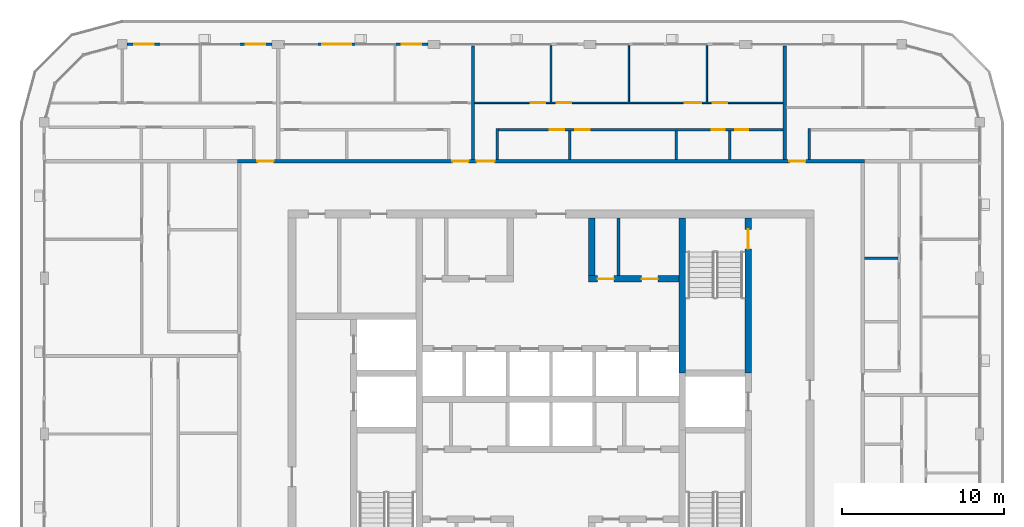
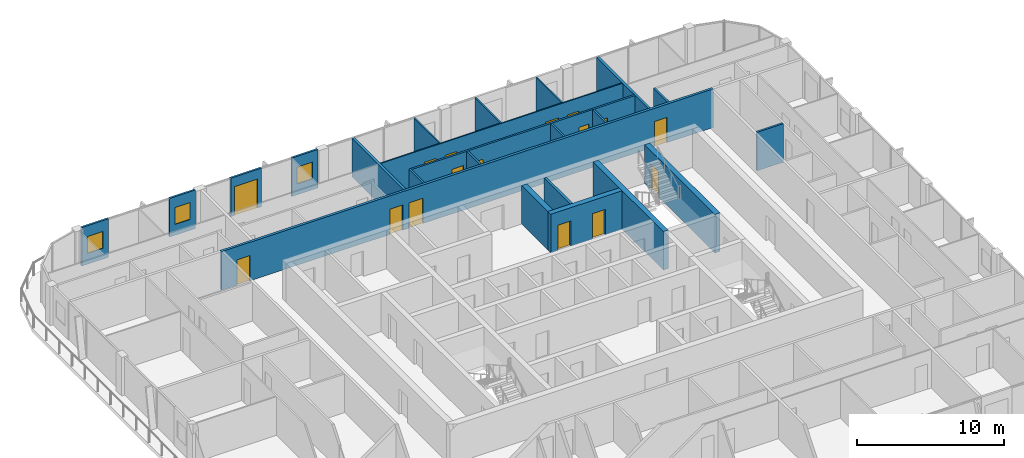
# One storey, part 14 of 22: 23 walls, 16 doors, 3 windows, 19 openings.
"""IFC4 building model written with IfcOpenShell, lengths in metres."""

from ifc_helpers import new_model, si_unit, direction, frame, frame_2d, origin, place, context, subcontext, project, spatial, rectangle, extrude, material, layer, layer_set, type_object, element, fill, save


model = new_model("IFC4")

# Units and contexts
model_context = context("Model", 3, precision=1e-05, world=origin(), true_north=direction((0.0, 1.0)))
body_context = subcontext(model_context, "Body", "Model", "MODEL_VIEW")
ifc_project = project(units=[si_unit("LENGTHUNIT", "METRE"), si_unit("AREAUNIT", "SQUARE_METRE"), si_unit("VOLUMEUNIT", "CUBIC_METRE"), si_unit("PLANEANGLEUNIT", "RADIAN"), si_unit("MASSUNIT", "GRAM", prefix="KILO")], contexts=[model_context])

# Site, building, storey
site_placement = place(None, origin())
site = spatial("IfcSite", under=ifc_project, at=site_placement, CompositionType="ELEMENT")
building_placement = place(site_placement, origin())
building = spatial("IfcBuilding", under=site, at=building_placement, Name="Madar Terraces", CompositionType="ELEMENT")
storey_placement = place(building_placement, frame((0.0, 0.0, 279.10009765625)))
storey = spatial("IfcBuildingStorey", under=building, at=storey_placement, Name="L73", CompositionType="ELEMENT", Elevation=279.10009765625)

# Wall
ifc_material_1 = material(Name="Concrete C50/60", Category="concrete")
ifc_layer_1 = layer(ifc_material_1, 0.39990234375)
ifc_layer_set_1 = layer_set([ifc_layer_1], Name="Concrete C50/60 (CIW6 RC wall 400)")
wall_type_1 = type_object("IfcWallType", Name="CIW6 RC wall 400", PredefinedType="SHEAR", material=ifc_layer_set_1)
wall_1_placement = place(storey_placement, frame((39.300048828125, 27.75, 0.0), z_axis=(0.0, 0.0, 1.0), x_axis=(0.0, 1.0, 0.0)))
element("IfcWall", 1, at=wall_1_placement, inside=storey, type_object=wall_type_1, Name="CORE SHAFT WALL", PredefinedType="SHEAR", context=body_context, shape_type="SweptSolid", body=[
    extrude(rectangle(XDim=9.550048828125, YDim=0.39990234375, at=frame_2d((4.77490234375, 0.0))), origin(), (0.0, 0.0, 1.0), 3.199951171875),
])

# Wall, opening, door
wall_2_placement = place(storey_placement, frame((43.35009765625, 27.75, 0.0), z_axis=(0.0, 0.0, 1.0), x_axis=(0.0, 1.0, 0.0)))
wall_2 = element("IfcWall", 2, at=wall_2_placement, inside=storey, type_object=wall_type_1, Name="CORE SHAFT WALL", PredefinedType="SHEAR", context=body_context, shape_type="SweptSolid", body=[
    extrude(rectangle(XDim=9.550048828125, YDim=0.39990234375, at=frame_2d((4.77490234375, 0.0))), origin(), (0.0, 0.0, 1.0), 3.199951171875),
])
opening_1_placement = place(wall_2_placement, frame((7.64990234375, 0.0, 0.0)))
opening_1 = element("IfcOpeningElement", 3, at=opening_1_placement, cuts=wall_2, Name="Opening SD1", PredefinedType="OPENING", context=body_context, shape_type="SweptSolid", body=[
    extrude(rectangle(XDim=1.199951171875, YDim=2.10009765625, at=frame_2d((0.60009765625, 1.050048828125))), frame((0.0, 0.2099609375, 0.0), z_axis=(0.0, -1.0, 0.0), x_axis=(1.0, 0.0, 0.0)), (0.0, 0.0, 1.0), 0.419921875),
])
ifc_material_2 = material(Name="Steel door leaf", Category="steel")
door_type_1 = type_object("IfcDoorType", Name="Stair door 1200 x 2100", OperationType="NOTDEFINED", PredefinedType="DOOR", material=ifc_material_2)
door_1_placement = place(opening_1_placement, origin())
door_1 = element("IfcDoor", 4, at=door_1_placement, inside=storey, type_object=door_type_1, Name="STAIR DOOR", OperationType="SINGLE_SWING_LEFT", OverallHeight=2.10009765625, OverallWidth=1.199951171875, PredefinedType="DOOR", context=body_context, shape_type="SweptSolid", body=[
    extrude(rectangle(XDim=1.199951171875, YDim=2.10009765625, at=frame_2d((0.60009765625, 1.050048828125))), frame((0.0, 0.02490234375, 0.0), z_axis=(0.0, -1.0, 0.0), x_axis=(1.0, 0.0, 0.0)), (0.0, 0.0, 1.0), 0.050048828125),
])
fill(opening_1, door_1)

# Wall, openings, doors
wall_3_placement = place(storey_placement, frame((33.5, 33.550048828125, 0.0), z_axis=(0.0, 0.0, 1.0), x_axis=(1.0, 0.0, 0.0)))
wall_3 = element("IfcWall", 5, at=wall_3_placement, inside=storey, type_object=wall_type_1, Name="CORE SHAFT WALL", PredefinedType="SHEAR", context=body_context, shape_type="SweptSolid", body=[
    extrude(rectangle(XDim=5.60009765625, YDim=0.39990234375, at=frame_2d((2.800048828125, 0.0))), origin(), (0.0, 0.0, 1.0), 3.199951171875),
])
opening_2_placement = place(wall_3_placement, frame((0.577880859375, 0.0, 0.0)))
opening_2 = element("IfcOpeningElement", 6, at=opening_2_placement, cuts=wall_3, Name="Opening KD2", PredefinedType="OPENING", context=body_context, shape_type="SweptSolid", body=[
    extrude(rectangle(XDim=1.0, YDim=2.10009765625, at=frame_2d((0.5, 1.050048828125))), frame((0.0, 0.2099609375, 0.0), z_axis=(0.0, -1.0, 0.0), x_axis=(1.0, 0.0, 0.0)), (0.0, 0.0, 1.0), 0.419921875),
])
opening_3_placement = place(wall_3_placement, frame((3.278076171875, 0.0, 0.0)))
opening_3 = element("IfcOpeningElement", 7, at=opening_3_placement, cuts=wall_3, Name="Opening KD2", PredefinedType="OPENING", context=body_context, shape_type="SweptSolid", body=[
    extrude(rectangle(XDim=1.0, YDim=2.10009765625, at=frame_2d((0.5, 1.050048828125))), frame((0.0, 0.2099609375, 0.0), z_axis=(0.0, -1.0, 0.0), x_axis=(1.0, 0.0, 0.0)), (0.0, 0.0, 1.0), 0.419921875),
])
ifc_material_3 = material(Name="Steel door leaf", Category="steel")
door_type_2 = type_object("IfcDoorType", Name="Service room door 1000 x 2100", OperationType="NOTDEFINED", PredefinedType="DOOR", material=ifc_material_3)
door_2_placement = place(opening_2_placement, frame((1.0, 0.0, 0.0), z_axis=(0.0, 0.0, 1.0), x_axis=(-1.0, 0.0, 0.0)))
door_2 = element("IfcDoor", 8, at=door_2_placement, inside=storey, type_object=door_type_2, Name="SERVICE ROOM DOOR", OperationType="SINGLE_SWING_RIGHT", OverallHeight=2.10009765625, OverallWidth=1.0, PredefinedType="DOOR", context=body_context, shape_type="SweptSolid", body=[
    extrude(rectangle(XDim=1.0, YDim=2.10009765625, at=frame_2d((0.5, 1.050048828125))), frame((0.0, 0.02490234375, 0.0), z_axis=(0.0, -1.0, 0.0), x_axis=(1.0, 0.0, 0.0)), (0.0, 0.0, 1.0), 0.050048828125),
])
fill(opening_2, door_2)
door_3_placement = place(opening_3_placement, frame((1.0, 0.0, 0.0), z_axis=(0.0, 0.0, 1.0), x_axis=(-1.0, 0.0, 0.0)))
door_3 = element("IfcDoor", 9, at=door_3_placement, inside=storey, type_object=door_type_2, Name="SERVICE ROOM DOOR", OperationType="SINGLE_SWING_LEFT", OverallHeight=2.10009765625, OverallWidth=1.0, PredefinedType="DOOR", context=body_context, shape_type="SweptSolid", body=[
    extrude(rectangle(XDim=1.0, YDim=2.10009765625, at=frame_2d((0.5, 1.050048828125))), frame((0.0, 0.02490234375, 0.0), z_axis=(0.0, -1.0, 0.0), x_axis=(1.0, 0.0, 0.0)), (0.0, 0.0, 1.0), 0.050048828125),
])
fill(opening_3, door_3)

# Walls
wall_4_placement = place(storey_placement, frame((33.699951171875, 33.75, 0.0), z_axis=(0.0, 0.0, 1.0), x_axis=(0.0, 1.0, 0.0)))
element("IfcWall", 10, at=wall_4_placement, inside=storey, type_object=wall_type_1, Name="CORE SHAFT WALL", PredefinedType="SHEAR", context=body_context, shape_type="SweptSolid", body=[
    extrude(rectangle(XDim=3.550048828125, YDim=0.39990234375, at=frame_2d((1.77490234375, 0.0))), origin(), (0.0, 0.0, 1.0), 3.199951171875),
])
ifc_material_4 = material(Name="Masonry blockwork", Category="masonry")
ifc_layer_2 = layer(ifc_material_4, 0.199951171875)
ifc_layer_set_2 = layer_set([ifc_layer_2], Name="Core partition 200 blockwork")
wall_type_2 = type_object("IfcWallType", Name="Core partition 200 blockwork", PredefinedType="PARTITIONING", material=ifc_layer_set_2)
wall_5_placement = place(storey_placement, frame((35.35595703125, 33.75, 0.0), z_axis=(0.0, 0.0, 1.0), x_axis=(0.0, 1.0, 0.0)))
element("IfcWall", 11, at=wall_5_placement, inside=storey, type_object=wall_type_2, Name="SERVICE ROOM PARTITION", PredefinedType="PARTITIONING", context=body_context, shape_type="SweptSolid", body=[
    extrude(rectangle(XDim=3.550048828125, YDim=0.199951171875, at=frame_2d((1.77490234375, 0.0))), origin(), (0.0, 0.0, 1.0), 3.199951171875),
])

# Wall, opening, window
ifc_material_5 = material(Name="Aluminium composite panel, black, over insulated backing", Category="aluminium")
ifc_layer_3 = layer(ifc_material_5, 0.14990234375)
ifc_layer_set_3 = layer_set([ifc_layer_3], Name="Facade bay panel 150")
wall_type_3 = type_object("IfcWallType", Name="Facade bay panel 150", PredefinedType="SOLIDWALL", material=ifc_layer_set_3)
wall_6_placement = place(storey_placement, frame((23.625, 48.0, 0.0), z_axis=(0.0, 0.0, 1.0), x_axis=(-1.0, 0.0, 0.0)))
wall_6 = element("IfcWall", 12, at=wall_6_placement, inside=storey, type_object=wall_type_3, Name="Facade bay panel", PredefinedType="SOLIDWALL", context=body_context, shape_type="SweptSolid", body=[
    extrude(rectangle(XDim=2.02490234375, YDim=0.14990234375, at=frame_2d((1.012451171875, 0.0))), origin(), (0.0, 0.0, 1.0), 3.199951171875),
])
opening_4_placement = place(wall_6_placement, frame((0.41259765625, 0.0, 0.89990234375)))
opening_4 = element("IfcOpeningElement", 13, at=opening_4_placement, cuts=wall_6, Name="Opening W1", PredefinedType="OPENING", context=body_context, shape_type="SweptSolid", body=[
    extrude(rectangle(XDim=1.199951171875, YDim=1.39990234375, at=frame_2d((0.60009765625, 0.699951171875))), frame((0.0, 0.0849609375, 0.0), z_axis=(0.0, -1.0, 0.0), x_axis=(1.0, 0.0, 0.0)), (0.0, 0.0, 1.0), 0.169921875),
])
ifc_material_6 = material(Name="Glass, clear, with black aluminium frame", Category="aluminium")
window_type = type_object("IfcWindowType", Name="Vent window 1200 x 1400", PartitioningType="SINGLE_PANEL", PredefinedType="WINDOW", material=ifc_material_6)
window_1_placement = place(opening_4_placement, origin())
window_1 = element("IfcWindow", 14, at=window_1_placement, inside=storey, type_object=window_type, Name="Operable vent window", OverallHeight=1.39990234375, OverallWidth=1.199951171875, PartitioningType="SINGLE_PANEL", PredefinedType="WINDOW", context=body_context, shape_type="SweptSolid", body=[
    extrude(rectangle(XDim=1.199951171875, YDim=1.39990234375, at=frame_2d((0.60009765625, 0.699951171875))), frame((0.0, 0.030029296875, 0.0), z_axis=(0.0, -1.0, 0.0), x_axis=(1.0, 0.0, 0.0)), (0.0, 0.0, 1.0), 0.06005859375),
])
fill(opening_4, window_1)

# Wall, opening, door
wall_7_placement = place(storey_placement, frame((19.199951171875, 48.0, 0.0), z_axis=(0.0, 0.0, 1.0), x_axis=(-1.0, 0.0, 0.0)))
wall_7 = element("IfcWall", 15, at=wall_7_placement, inside=storey, type_object=wall_type_3, Name="Facade bay panel", PredefinedType="SOLIDWALL", context=body_context, shape_type="SweptSolid", body=[
    extrude(rectangle(XDim=2.39990234375, YDim=0.14990234375, at=frame_2d((1.199951171875, 0.0))), origin(), (0.0, 0.0, 1.0), 3.199951171875),
])
opening_5_placement = place(wall_7_placement, frame((0.300048828125, 0.0, 0.0)))
opening_5 = element("IfcOpeningElement", 16, at=opening_5_placement, cuts=wall_7, Name="Opening ED1", PredefinedType="OPENING", context=body_context, shape_type="SweptSolid", body=[
    extrude(rectangle(XDim=1.800048828125, YDim=2.39990234375, at=frame_2d((0.89990234375, 1.199951171875))), frame((0.0, 0.0849609375, 0.0), z_axis=(0.0, -1.0, 0.0), x_axis=(1.0, 0.0, 0.0)), (0.0, 0.0, 1.0), 0.169921875),
])
ifc_material_7 = material(Name="Glass, clear, with black aluminium frame", Category="aluminium")
door_type_3 = type_object("IfcDoorType", Name="Balcony and terrace sliding door 1800 x 2400", OperationType="SLIDING_TO_LEFT", PredefinedType="DOOR", material=ifc_material_7)
door_4_placement = place(opening_5_placement, origin())
door_4 = element("IfcDoor", 17, at=door_4_placement, inside=storey, type_object=door_type_3, Name="Balcony door", OperationType="SLIDING_TO_RIGHT", OverallHeight=2.39990234375, OverallWidth=1.800048828125, PredefinedType="DOOR", context=body_context, shape_type="SweptSolid", body=[
    extrude(rectangle(XDim=1.800048828125, YDim=2.39990234375, at=frame_2d((0.89990234375, 1.199951171875))), frame((0.0, 0.02490234375, 0.0), z_axis=(0.0, -1.0, 0.0), x_axis=(1.0, 0.0, 0.0)), (0.0, 0.0, 1.0), 0.050048828125),
])
fill(opening_5, door_4)

# Wall, opening, window
wall_8_placement = place(storey_placement, frame((14.02490234375, 48.0, 0.0), z_axis=(0.0, 0.0, 1.0), x_axis=(-1.0, 0.0, 0.0)))
wall_8 = element("IfcWall", 18, at=wall_8_placement, inside=storey, type_object=wall_type_3, Name="Facade bay panel", PredefinedType="SOLIDWALL", context=body_context, shape_type="SweptSolid", body=[
    extrude(rectangle(XDim=2.02490234375, YDim=0.14990234375, at=frame_2d((1.012451171875, 0.0))), origin(), (0.0, 0.0, 1.0), 3.199951171875),
])
opening_6_placement = place(wall_8_placement, frame((0.41259765625, 0.0, 0.89990234375)))
opening_6 = element("IfcOpeningElement", 19, at=opening_6_placement, cuts=wall_8, Name="Opening W1", PredefinedType="OPENING", context=body_context, shape_type="SweptSolid", body=[
    extrude(rectangle(XDim=1.199951171875, YDim=1.39990234375, at=frame_2d((0.60009765625, 0.699951171875))), frame((0.0, 0.0849609375, 0.0), z_axis=(0.0, -1.0, 0.0), x_axis=(1.0, 0.0, 0.0)), (0.0, 0.0, 1.0), 0.169921875),
])
window_2_placement = place(opening_6_placement, origin())
window_2 = element("IfcWindow", 20, at=window_2_placement, inside=storey, type_object=window_type, Name="Operable vent window", OverallHeight=1.39990234375, OverallWidth=1.199951171875, PartitioningType="SINGLE_PANEL", PredefinedType="WINDOW", context=body_context, shape_type="SweptSolid", body=[
    extrude(rectangle(XDim=1.199951171875, YDim=1.39990234375, at=frame_2d((0.60009765625, 0.699951171875))), frame((0.0, 0.030029296875, 0.0), z_axis=(0.0, -1.0, 0.0), x_axis=(1.0, 0.0, 0.0)), (0.0, 0.0, 1.0), 0.06005859375),
])
fill(opening_6, window_2)

wall_9_placement = place(storey_placement, frame((7.199951171875, 48.0, 0.0), z_axis=(0.0, 0.0, 1.0), x_axis=(-1.0, 0.0, 0.0)))
wall_9 = element("IfcWall", 21, at=wall_9_placement, inside=storey, type_object=wall_type_3, Name="Facade bay panel", PredefinedType="SOLIDWALL", context=body_context, shape_type="SweptSolid", body=[
    extrude(rectangle(XDim=2.099853515625, YDim=0.14990234375, at=frame_2d((1.0498046875, 0.0))), origin(), (0.0, 0.0, 1.0), 3.199951171875),
])
opening_7_placement = place(wall_9_placement, frame((0.449951171875, 0.0, 0.89990234375)))
opening_7 = element("IfcOpeningElement", 22, at=opening_7_placement, cuts=wall_9, Name="Opening W1", PredefinedType="OPENING", context=body_context, shape_type="SweptSolid", body=[
    extrude(rectangle(XDim=1.199951171875, YDim=1.39990234375, at=frame_2d((0.60009765625, 0.699951171875))), frame((0.0, 0.0849609375, 0.0), z_axis=(0.0, -1.0, 0.0), x_axis=(1.0, 0.0, 0.0)), (0.0, 0.0, 1.0), 0.169921875),
])
window_3_placement = place(opening_7_placement, origin())
window_3 = element("IfcWindow", 23, at=window_3_placement, inside=storey, type_object=window_type, Name="Operable vent window", OverallHeight=1.39990234375, OverallWidth=1.199951171875, PartitioningType="SINGLE_PANEL", PredefinedType="WINDOW", context=body_context, shape_type="SweptSolid", body=[
    extrude(rectangle(XDim=1.199951171875, YDim=1.39990234375, at=frame_2d((0.60009765625, 0.699951171875))), frame((0.0, 0.030029296875, 0.0), z_axis=(0.0, -1.0, 0.0), x_axis=(1.0, 0.0, 0.0)), (0.0, 0.0, 1.0), 0.06005859375),
])
fill(opening_7, window_3)

# Walls
ifc_material_8 = material(Name="Gypsum board on steel studs", Category="steel")
ifc_layer_4 = layer(ifc_material_8, 0.10009765625)
ifc_layer_set_4 = layer_set([ifc_layer_4], Name="Flat partition 100")
wall_type_4 = type_object("IfcWallType", Name="Flat partition 100", PredefinedType="PARTITIONING", material=ifc_layer_set_4)
for number, where, z_axis, x_axis, name in (
    (24, (31.199951171875, 44.449951171875, 0.0), (0.0, 0.0, 1.0), (0.0, 1.0, 0.0), "Flat partition 100"),
    (25, (36.0, 44.449951171875, 0.0), (0.0, 0.0, 1.0), (0.0, 1.0, 0.0), "Flat partition 100"),
    (26, (40.800048828125, 44.449951171875, 0.0), (0.0, 0.0, 1.0), (0.0, 1.0, 0.0), "Flat partition 100"),
):
    element("IfcWall", number, at=place(storey_placement, frame(where, z_axis=z_axis, x_axis=x_axis)), inside=storey, type_object=wall_type_4, Name=name, PredefinedType="PARTITIONING", context=body_context, shape_type="SweptSolid", body=[
        extrude(rectangle(XDim=3.449951171875, YDim=0.10009765625, at=frame_2d((1.72509765625, 0.0))), origin(), (0.0, 0.0, 1.0), 3.199951171875),
    ])

# Wall, openings, doors
wall_10_placement = place(storey_placement, frame((26.5, 44.39990234375, 0.0), z_axis=(0.0, 0.0, 1.0), x_axis=(1.0, 0.0, 0.0)))
wall_10 = element("IfcWall", 27, at=wall_10_placement, inside=storey, type_object=wall_type_4, Name="Flat partition 100", PredefinedType="PARTITIONING", context=body_context, shape_type="SweptSolid", body=[
    extrude(rectangle(XDim=19.0, YDim=0.10009765625, at=frame_2d((9.5, 0.0))), origin(), (0.0, 0.0, 1.0), 3.199951171875),
])
opening_8_placement = place(wall_10_placement, frame((3.449951171875, 0.0, 0.0)))
opening_8 = element("IfcOpeningElement", 28, at=opening_8_placement, cuts=wall_10, Name="Opening D2", PredefinedType="OPENING", context=body_context, shape_type="SweptSolid", body=[
    extrude(rectangle(XDim=0.89990234375, YDim=2.10009765625, at=frame_2d((0.449951171875, 1.050048828125))), frame((0.0, 0.06005859375, 0.0), z_axis=(0.0, -1.0, 0.0), x_axis=(1.0, 0.0, 0.0)), (0.0, 0.0, 1.0), 0.1201171875),
])
opening_9_placement = place(wall_10_placement, frame((5.050048828125, 0.0, 0.0)))
opening_9 = element("IfcOpeningElement", 29, at=opening_9_placement, cuts=wall_10, Name="Opening D2", PredefinedType="OPENING", context=body_context, shape_type="SweptSolid", body=[
    extrude(rectangle(XDim=0.89990234375, YDim=2.10009765625, at=frame_2d((0.449951171875, 1.050048828125))), frame((0.0, 0.06005859375, 0.0), z_axis=(0.0, -1.0, 0.0), x_axis=(1.0, 0.0, 0.0)), (0.0, 0.0, 1.0), 0.1201171875),
])
opening_10_placement = place(wall_10_placement, frame((12.949951171875, 0.0, 0.0)))
opening_10 = element("IfcOpeningElement", 30, at=opening_10_placement, cuts=wall_10, Name="Opening D3", PredefinedType="OPENING", context=body_context, shape_type="SweptSolid", body=[
    extrude(rectangle(XDim=1.0, YDim=2.10009765625, at=frame_2d((0.5, 1.050048828125))), frame((0.0, 0.06005859375, 0.0), z_axis=(0.0, -1.0, 0.0), x_axis=(1.0, 0.0, 0.0)), (0.0, 0.0, 1.0), 0.1201171875),
])
opening_11_placement = place(wall_10_placement, frame((14.64990234375, 0.0, 0.0)))
opening_11 = element("IfcOpeningElement", 31, at=opening_11_placement, cuts=wall_10, Name="Opening D2", PredefinedType="OPENING", context=body_context, shape_type="SweptSolid", body=[
    extrude(rectangle(XDim=0.89990234375, YDim=2.10009765625, at=frame_2d((0.449951171875, 1.050048828125))), frame((0.0, 0.06005859375, 0.0), z_axis=(0.0, -1.0, 0.0), x_axis=(1.0, 0.0, 0.0)), (0.0, 0.0, 1.0), 0.1201171875),
])
ifc_material_9 = material(Name="Timber door leaf", Category="wood")
door_type_4 = type_object("IfcDoorType", Name="Flat living room door 1000", OperationType="NOTDEFINED", PredefinedType="DOOR", material=ifc_material_9)
door_5_placement = place(opening_10_placement, origin())
door_5 = element("IfcDoor", 32, at=door_5_placement, inside=storey, type_object=door_type_4, Name="Flat living room door 1000", OperationType="SINGLE_SWING_RIGHT", OverallHeight=2.10009765625, OverallWidth=1.0, PredefinedType="DOOR", context=body_context, shape_type="SweptSolid", body=[
    extrude(rectangle(XDim=1.0, YDim=2.10009765625, at=frame_2d((0.5, 1.050048828125))), frame((0.0, 0.02490234375, 0.0), z_axis=(0.0, -1.0, 0.0), x_axis=(1.0, 0.0, 0.0)), (0.0, 0.0, 1.0), 0.050048828125),
])
fill(opening_10, door_5)
ifc_material_10 = material(Name="Timber door leaf", Category="wood")
door_type_5 = type_object("IfcDoorType", Name="Flat room door 900", OperationType="NOTDEFINED", PredefinedType="DOOR", material=ifc_material_10)
door_6_placement = place(opening_8_placement, origin())
door_6 = element("IfcDoor", 33, at=door_6_placement, inside=storey, type_object=door_type_5, Name="Flat room door 900", OperationType="SINGLE_SWING_RIGHT", OverallHeight=2.10009765625, OverallWidth=0.89990234375, PredefinedType="DOOR", context=body_context, shape_type="SweptSolid", body=[
    extrude(rectangle(XDim=0.89990234375, YDim=2.10009765625, at=frame_2d((0.449951171875, 1.050048828125))), frame((0.0, 0.02490234375, 0.0), z_axis=(0.0, -1.0, 0.0), x_axis=(1.0, 0.0, 0.0)), (0.0, 0.0, 1.0), 0.050048828125),
])
fill(opening_8, door_6)
door_7_placement = place(opening_9_placement, origin())
door_7 = element("IfcDoor", 34, at=door_7_placement, inside=storey, type_object=door_type_5, Name="Flat room door 900", OperationType="SINGLE_SWING_LEFT", OverallHeight=2.10009765625, OverallWidth=0.89990234375, PredefinedType="DOOR", context=body_context, shape_type="SweptSolid", body=[
    extrude(rectangle(XDim=0.89990234375, YDim=2.10009765625, at=frame_2d((0.449951171875, 1.050048828125))), frame((0.0, 0.02490234375, 0.0), z_axis=(0.0, -1.0, 0.0), x_axis=(1.0, 0.0, 0.0)), (0.0, 0.0, 1.0), 0.050048828125),
])
fill(opening_9, door_7)
door_8_placement = place(opening_11_placement, origin())
door_8 = element("IfcDoor", 35, at=door_8_placement, inside=storey, type_object=door_type_5, Name="Flat room door 900", OperationType="SINGLE_SWING_LEFT", OverallHeight=2.10009765625, OverallWidth=0.89990234375, PredefinedType="DOOR", context=body_context, shape_type="SweptSolid", body=[
    extrude(rectangle(XDim=0.89990234375, YDim=2.10009765625, at=frame_2d((0.449951171875, 1.050048828125))), frame((0.0, 0.02490234375, 0.0), z_axis=(0.0, -1.0, 0.0), x_axis=(1.0, 0.0, 0.0)), (0.0, 0.0, 1.0), 0.050048828125),
])
fill(opening_11, door_8)

ifc_material_11 = material(Name="Lightweight blockwork", Category="masonry")
ifc_layer_5 = layer(ifc_material_11, 0.199951171875)
ifc_layer_set_5 = layer_set([ifc_layer_5], Name="Flat party and entrance wall 200")
wall_type_5 = type_object("IfcWallType", Name="Flat party and entrance wall 200", PredefinedType="PARTITIONING", material=ifc_layer_set_5)
wall_11_placement = place(storey_placement, frame((11.89990234375, 40.800048828125, 0.0), z_axis=(0.0, 0.0, 1.0), x_axis=(1.0, 0.0, 0.0)))
wall_11 = element("IfcWall", 36, at=wall_11_placement, inside=storey, type_object=wall_type_5, Name="Flat party and entrance wall 200", PredefinedType="PARTITIONING", context=body_context, shape_type="SweptSolid", body=[
    extrude(rectangle(XDim=38.60009765625, YDim=0.199951171875, at=frame_2d((19.300048828125, 0.0))), origin(), (0.0, 0.0, 1.0), 3.199951171875),
])
opening_12_placement = place(wall_11_placement, frame((33.97509765625, 0.0, 0.0)))
opening_12 = element("IfcOpeningElement", 37, at=opening_12_placement, cuts=wall_11, Name="Opening D1", PredefinedType="OPENING", context=body_context, shape_type="SweptSolid", body=[
    extrude(rectangle(XDim=1.0, YDim=2.10009765625, at=frame_2d((0.5, 1.050048828125))), frame((0.0, 0.10986328125, 0.0), z_axis=(0.0, -1.0, 0.0), x_axis=(1.0, 0.0, 0.0)), (0.0, 0.0, 1.0), 0.219970703125),
])
opening_13_placement = place(wall_11_placement, frame((14.72509765625, 0.0, 0.0)))
opening_13 = element("IfcOpeningElement", 38, at=opening_13_placement, cuts=wall_11, Name="Opening D6", PredefinedType="OPENING", context=body_context, shape_type="SweptSolid", body=[
    extrude(rectangle(XDim=1.10009765625, YDim=2.10009765625, at=frame_2d((0.550048828125, 1.050048828125))), frame((0.0, 0.10986328125, 0.0), z_axis=(0.0, -1.0, 0.0), x_axis=(1.0, 0.0, 0.0)), (0.0, 0.0, 1.0), 0.219970703125),
])
opening_14_placement = place(wall_11_placement, frame((13.22509765625, 0.0, 0.0)))
opening_14 = element("IfcOpeningElement", 39, at=opening_14_placement, cuts=wall_11, Name="Opening D1", PredefinedType="OPENING", context=body_context, shape_type="SweptSolid", body=[
    extrude(rectangle(XDim=1.0, YDim=2.10009765625, at=frame_2d((0.5, 1.050048828125))), frame((0.0, 0.10986328125, 0.0), z_axis=(0.0, -1.0, 0.0), x_axis=(1.0, 0.0, 0.0)), (0.0, 0.0, 1.0), 0.219970703125),
])
opening_15_placement = place(wall_11_placement, frame((1.22509765625, 0.0, 0.0)))
opening_15 = element("IfcOpeningElement", 40, at=opening_15_placement, cuts=wall_11, Name="Opening D1", PredefinedType="OPENING", context=body_context, shape_type="SweptSolid", body=[
    extrude(rectangle(XDim=1.0, YDim=2.10009765625, at=frame_2d((0.5, 1.050048828125))), frame((0.0, 0.10986328125, 0.0), z_axis=(0.0, -1.0, 0.0), x_axis=(1.0, 0.0, 0.0)), (0.0, 0.0, 1.0), 0.219970703125),
])
ifc_material_12 = material(Name="Timber fire door leaf", Category="wood")
door_type_6 = type_object("IfcDoorType", Name="Flat entrance door 1000 FD30S", OperationType="NOTDEFINED", PredefinedType="DOOR", material=ifc_material_12)
door_9_placement = place(opening_12_placement, origin())
door_9 = element("IfcDoor", 41, at=door_9_placement, inside=storey, type_object=door_type_6, Name="Flat entrance door 1000 FD30S", OperationType="SINGLE_SWING_LEFT", OverallHeight=2.10009765625, OverallWidth=1.0, PredefinedType="DOOR", context=body_context, shape_type="SweptSolid", body=[
    extrude(rectangle(XDim=1.0, YDim=2.10009765625, at=frame_2d((0.5, 1.050048828125))), frame((0.0, 0.02490234375, 0.0), z_axis=(0.0, -1.0, 0.0), x_axis=(1.0, 0.0, 0.0)), (0.0, 0.0, 1.0), 0.050048828125),
])
fill(opening_12, door_9)
door_10_placement = place(opening_14_placement, origin())
door_10 = element("IfcDoor", 42, at=door_10_placement, inside=storey, type_object=door_type_6, Name="Flat entrance door 1000 FD30S", OperationType="SINGLE_SWING_RIGHT", OverallHeight=2.10009765625, OverallWidth=1.0, PredefinedType="DOOR", context=body_context, shape_type="SweptSolid", body=[
    extrude(rectangle(XDim=1.0, YDim=2.10009765625, at=frame_2d((0.5, 1.050048828125))), frame((0.0, 0.02490234375, 0.0), z_axis=(0.0, -1.0, 0.0), x_axis=(1.0, 0.0, 0.0)), (0.0, 0.0, 1.0), 0.050048828125),
])
fill(opening_14, door_10)
door_11_placement = place(opening_15_placement, origin())
door_11 = element("IfcDoor", 43, at=door_11_placement, inside=storey, type_object=door_type_6, Name="Flat entrance door 1000 FD30S", OperationType="SINGLE_SWING_RIGHT", OverallHeight=2.10009765625, OverallWidth=1.0, PredefinedType="DOOR", context=body_context, shape_type="SweptSolid", body=[
    extrude(rectangle(XDim=1.0, YDim=2.10009765625, at=frame_2d((0.5, 1.050048828125))), frame((0.0, 0.02490234375, 0.0), z_axis=(0.0, -1.0, 0.0), x_axis=(1.0, 0.0, 0.0)), (0.0, 0.0, 1.0), 0.050048828125),
])
fill(opening_15, door_11)
ifc_material_13 = material(Name="Timber fire door leaf", Category="wood")
door_type_7 = type_object("IfcDoorType", Name="Flat entrance door 1100 FD30S", OperationType="NOTDEFINED", PredefinedType="DOOR", material=ifc_material_13)
door_12_placement = place(opening_13_placement, origin())
door_12 = element("IfcDoor", 44, at=door_12_placement, inside=storey, type_object=door_type_7, Name="Flat entrance door 1100 FD30S", OperationType="SINGLE_SWING_LEFT", OverallHeight=2.10009765625, OverallWidth=1.10009765625, PredefinedType="DOOR", context=body_context, shape_type="SweptSolid", body=[
    extrude(rectangle(XDim=1.10009765625, YDim=2.10009765625, at=frame_2d((0.550048828125, 1.050048828125))), frame((0.0, 0.02490234375, 0.0), z_axis=(0.0, -1.0, 0.0), x_axis=(1.0, 0.0, 0.0)), (0.0, 0.0, 1.0), 0.050048828125),
])
fill(opening_13, door_12)

# Walls
for number, where, z_axis, x_axis, name in (
    (45, (45.60009765625, 47.89990234375, 0.0), (0.0, 0.0, 1.0), (0.0, -1.0, 0.0), "Flat party and entrance wall 200"),
    (46, (26.39990234375, 47.89990234375, 0.0), (0.0, 0.0, 1.0), (0.0, -1.0, 0.0), "Flat party and entrance wall 200"),
):
    element("IfcWall", number, at=place(storey_placement, frame(where, z_axis=z_axis, x_axis=x_axis)), inside=storey, type_object=wall_type_5, Name=name, PredefinedType="PARTITIONING", context=body_context, shape_type="SweptSolid", body=[
        extrude(rectangle(XDim=7.0, YDim=0.199951171875, at=frame_2d((3.5, 0.0))), origin(), (0.0, 0.0, 1.0), 3.199951171875),
    ])
ifc_material_14 = material(Name="Lightweight blockwork", Category="masonry")
ifc_layer_6 = layer(ifc_material_14, 0.14990234375)
ifc_layer_set_6 = layer_set([ifc_layer_6], Name="Flat wet-room partition 150")
wall_type_6 = type_object("IfcWallType", Name="Flat wet-room partition 150", PredefinedType="PARTITIONING", material=ifc_layer_set_6)
wall_12_placement = place(storey_placement, frame((50.5, 34.826904296875, 0.0), z_axis=(0.0, 0.0, 1.0), x_axis=(1.0, 0.0, 0.0)))
element("IfcWall", 47, at=wall_12_placement, inside=storey, type_object=wall_type_6, Name="Flat wet-room partition 150", PredefinedType="PARTITIONING", context=body_context, shape_type="SweptSolid", body=[
    extrude(rectangle(XDim=2.074951171875, YDim=0.14990234375, at=frame_2d((1.03759765625, 0.0))), origin(), (0.0, 0.0, 1.0), 3.199951171875),
])
wall_13_placement = place(storey_placement, frame((47.10009765625, 40.89990234375, 0.0), z_axis=(0.0, 0.0, 1.0), x_axis=(0.0, 1.0, 0.0)))
element("IfcWall", 48, at=wall_13_placement, inside=storey, type_object=wall_type_6, Name="Flat wet-room partition 150", PredefinedType="PARTITIONING", context=body_context, shape_type="SweptSolid", body=[
    extrude(rectangle(XDim=1.925048828125, YDim=0.14990234375, at=frame_2d((0.96240234375, 0.0))), origin(), (0.0, 0.0, 1.0), 3.199951171875),
])
for number, where, z_axis, x_axis, name in (
    (49, (32.356201171875, 40.89990234375, 0.0), (0.0, 0.0, 1.0), (0.0, 1.0, 0.0), "Flat wet-room partition 150"),
    (50, (38.927978515625, 40.89990234375, 0.0), (0.0, 0.0, 1.0), (0.0, 1.0, 0.0), "Flat wet-room partition 150"),
    (51, (42.214111328125, 40.89990234375, 0.0), (0.0, 0.0, 1.0), (0.0, 1.0, 0.0), "Flat wet-room partition 150"),
):
    element("IfcWall", number, at=place(storey_placement, frame(where, z_axis=z_axis, x_axis=x_axis)), inside=storey, type_object=wall_type_6, Name=name, PredefinedType="PARTITIONING", context=body_context, shape_type="SweptSolid", body=[
        extrude(rectangle(XDim=1.775146484375, YDim=0.14990234375, at=frame_2d((0.8876953125, 0.0))), origin(), (0.0, 0.0, 1.0), 3.199951171875),
    ])
wall_14_placement = place(storey_placement, frame((27.89990234375, 40.89990234375, 0.0), z_axis=(0.0, 0.0, 1.0), x_axis=(0.0, 1.0, 0.0)))
element("IfcWall", 52, at=wall_14_placement, inside=storey, type_object=wall_type_6, Name="Flat wet-room partition 150", PredefinedType="PARTITIONING", context=body_context, shape_type="SweptSolid", body=[
    extrude(rectangle(XDim=1.925048828125, YDim=0.14990234375, at=frame_2d((0.96240234375, 0.0))), origin(), (0.0, 0.0, 1.0), 3.199951171875),
])

# Wall, openings, doors
wall_15_placement = place(storey_placement, frame((45.5, 42.75, 0.0), z_axis=(0.0, 0.0, 1.0), x_axis=(-1.0, 0.0, 0.0)))
wall_15 = element("IfcWall", 53, at=wall_15_placement, inside=storey, type_object=wall_type_6, Name="Flat wet-room partition 150", PredefinedType="PARTITIONING", context=body_context, shape_type="SweptSolid", body=[
    extrude(rectangle(XDim=17.52490234375, YDim=0.14990234375, at=frame_2d((8.762451171875, 0.0))), origin(), (0.0, 0.0, 1.0), 3.199951171875),
])
opening_16_placement = place(wall_15_placement, frame((13.46875, 0.0, 0.0)))
opening_16 = element("IfcOpeningElement", 54, at=opening_16_placement, cuts=wall_15, Name="Opening D5", PredefinedType="OPENING", context=body_context, shape_type="SweptSolid", body=[
    extrude(rectangle(XDim=0.89990234375, YDim=2.10009765625, at=frame_2d((0.449951171875, 1.050048828125))), frame((0.0, 0.0849609375, 0.0), z_axis=(0.0, -1.0, 0.0), x_axis=(1.0, 0.0, 0.0)), (0.0, 0.0, 1.0), 0.169921875),
])
opening_17_placement = place(wall_15_placement, frame((11.918701171875, 0.0, 0.0)))
opening_17 = element("IfcOpeningElement", 55, at=opening_17_placement, cuts=wall_15, Name="Opening D2", PredefinedType="OPENING", context=body_context, shape_type="SweptSolid", body=[
    extrude(rectangle(XDim=0.89990234375, YDim=2.10009765625, at=frame_2d((0.449951171875, 1.050048828125))), frame((0.0, 0.0849609375, 0.0), z_axis=(0.0, -1.0, 0.0), x_axis=(1.0, 0.0, 0.0)), (0.0, 0.0, 1.0), 0.169921875),
])
opening_18_placement = place(wall_15_placement, frame((3.611083984375, 0.0, 0.0)))
opening_18 = element("IfcOpeningElement", 56, at=opening_18_placement, cuts=wall_15, Name="Opening D7", PredefinedType="OPENING", context=body_context, shape_type="SweptSolid", body=[
    extrude(rectangle(XDim=0.800048828125, YDim=2.10009765625, at=frame_2d((0.39990234375, 1.050048828125))), frame((0.0, 0.0849609375, 0.0), z_axis=(0.0, -1.0, 0.0), x_axis=(1.0, 0.0, 0.0)), (0.0, 0.0, 1.0), 0.169921875),
])
opening_19_placement = place(wall_15_placement, frame((2.160888671875, 0.0, 0.0)))
opening_19 = element("IfcOpeningElement", 57, at=opening_19_placement, cuts=wall_15, Name="Opening D4", PredefinedType="OPENING", context=body_context, shape_type="SweptSolid", body=[
    extrude(rectangle(XDim=0.800048828125, YDim=2.10009765625, at=frame_2d((0.39990234375, 1.050048828125))), frame((0.0, 0.0849609375, 0.0), z_axis=(0.0, -1.0, 0.0), x_axis=(1.0, 0.0, 0.0)), (0.0, 0.0, 1.0), 0.169921875),
])
ifc_material_15 = material(Name="Timber door leaf", Category="wood")
door_type_8 = type_object("IfcDoorType", Name="Flat accessible bathroom door 900", OperationType="NOTDEFINED", PredefinedType="DOOR", material=ifc_material_15)
door_13_placement = place(opening_16_placement, origin())
door_13 = element("IfcDoor", 58, at=door_13_placement, inside=storey, type_object=door_type_8, Name="Flat accessible bathroom door 900", OperationType="SINGLE_SWING_LEFT", OverallHeight=2.10009765625, OverallWidth=0.89990234375, PredefinedType="DOOR", context=body_context, shape_type="SweptSolid", body=[
    extrude(rectangle(XDim=0.89990234375, YDim=2.10009765625, at=frame_2d((0.449951171875, 1.050048828125))), frame((0.0, 0.02490234375, 0.0), z_axis=(0.0, -1.0, 0.0), x_axis=(1.0, 0.0, 0.0)), (0.0, 0.0, 1.0), 0.050048828125),
])
fill(opening_16, door_13)
ifc_material_16 = material(Name="Timber door leaf", Category="wood")
door_type_9 = type_object("IfcDoorType", Name="Flat bathroom door 800", OperationType="NOTDEFINED", PredefinedType="DOOR", material=ifc_material_16)
door_14_placement = place(opening_19_placement, origin())
door_14 = element("IfcDoor", 59, at=door_14_placement, inside=storey, type_object=door_type_9, Name="Flat bathroom door 800", OperationType="SINGLE_SWING_RIGHT", OverallHeight=2.10009765625, OverallWidth=0.800048828125, PredefinedType="DOOR", context=body_context, shape_type="SweptSolid", body=[
    extrude(rectangle(XDim=0.800048828125, YDim=2.10009765625, at=frame_2d((0.39990234375, 1.050048828125))), frame((0.0, 0.02490234375, 0.0), z_axis=(0.0, -1.0, 0.0), x_axis=(1.0, 0.0, 0.0)), (0.0, 0.0, 1.0), 0.050048828125),
])
fill(opening_19, door_14)
door_15_placement = place(opening_17_placement, origin())
door_15 = element("IfcDoor", 60, at=door_15_placement, inside=storey, type_object=door_type_5, Name="Flat room door 900", OperationType="SINGLE_SWING_RIGHT", OverallHeight=2.10009765625, OverallWidth=0.89990234375, PredefinedType="DOOR", context=body_context, shape_type="SweptSolid", body=[
    extrude(rectangle(XDim=0.89990234375, YDim=2.10009765625, at=frame_2d((0.449951171875, 1.050048828125))), frame((0.0, 0.02490234375, 0.0), z_axis=(0.0, -1.0, 0.0), x_axis=(1.0, 0.0, 0.0)), (0.0, 0.0, 1.0), 0.050048828125),
])
fill(opening_17, door_15)
ifc_material_17 = material(Name="Timber door leaf", Category="wood")
door_type_10 = type_object("IfcDoorType", Name="Flat utility door 800", OperationType="NOTDEFINED", PredefinedType="DOOR", material=ifc_material_17)
door_16_placement = place(opening_18_placement, origin())
door_16 = element("IfcDoor", 61, at=door_16_placement, inside=storey, type_object=door_type_10, Name="Flat utility door 800", OperationType="SINGLE_SWING_LEFT", OverallHeight=2.10009765625, OverallWidth=0.800048828125, PredefinedType="DOOR", context=body_context, shape_type="SweptSolid", body=[
    extrude(rectangle(XDim=0.800048828125, YDim=2.10009765625, at=frame_2d((0.39990234375, 1.050048828125))), frame((0.0, 0.02490234375, 0.0), z_axis=(0.0, -1.0, 0.0), x_axis=(1.0, 0.0, 0.0)), (0.0, 0.0, 1.0), 0.050048828125),
])
fill(opening_18, door_16)

save(model, "model.ifc")
